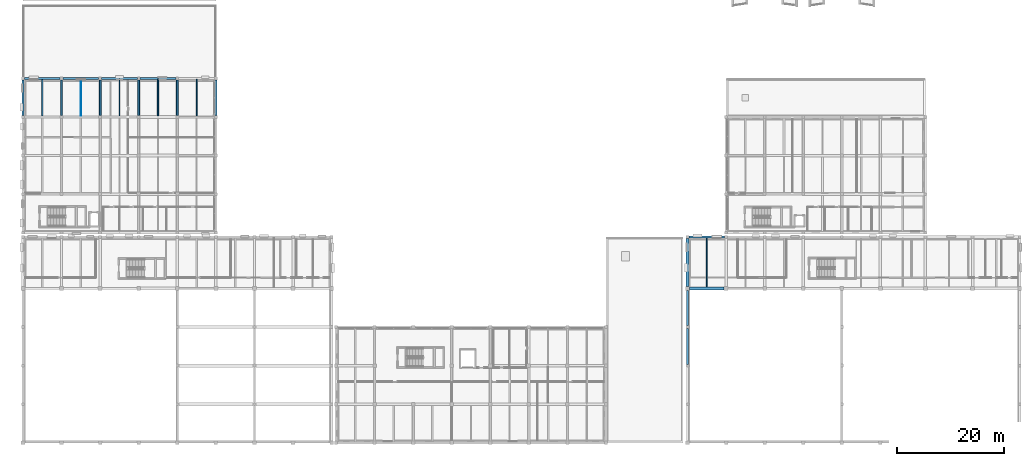
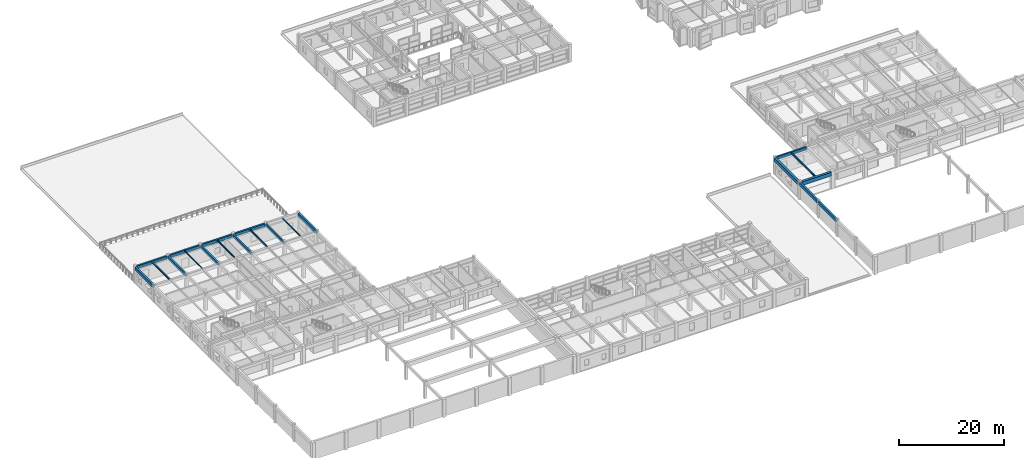
# One storey, part 18 of 67: 21 beams.
"""IFC4 building model written with IfcOpenShell, lengths in metres."""

from ifc_helpers import new_model, si_unit, direction, frame, origin, origin_2d, place, context, subcontext, project, spatial, rectangle, i_section, extrude, material, material_profile, profile_set, type_object, element, save


model = new_model("IFC4")

# Units and contexts
model_context = context("Model", 3, precision=1e-05, world=origin(), true_north=direction((0.0, 1.0)))
body_context = subcontext(model_context, "Body", "Model", "MODEL_VIEW")
ifc_project = project(units=[si_unit("LENGTHUNIT", "METRE"), si_unit("AREAUNIT", "SQUARE_METRE"), si_unit("VOLUMEUNIT", "CUBIC_METRE"), si_unit("PLANEANGLEUNIT", "RADIAN"), si_unit("MASSUNIT", "GRAM", prefix="KILO")], contexts=[model_context])

# Site, building, storey
site_placement = place(None, origin())
site = spatial("IfcSite", under=ifc_project, at=site_placement, CompositionType="ELEMENT")
building_placement = place(site_placement, origin())
building = spatial("IfcBuilding", under=site, at=building_placement, Name="Bramveld Media Centre", CompositionType="ELEMENT")
storey_placement = place(building_placement, frame((0.0, 0.0, 5.39990234375)))
storey = spatial("IfcBuildingStorey", under=building, at=storey_placement, Name="L01", CompositionType="ELEMENT", Elevation=5.39990234375)

# Beams
ifc_material_1 = material(Name="Concrete C40/50", Category="concrete")
ifc_material_profile_1 = material_profile(ifc_material_1, rectangle(XDim=0.35009765625, YDim=0.60009765625, at=origin_2d()), Name="RC 350x600")
ifc_profile_set_1 = profile_set([ifc_material_profile_1], Name="Concrete C40/50")
beam_type_1 = type_object("IfcBeamType", Name="BM-INT-RC-350x600", PredefinedType="BEAM", material=ifc_profile_set_1)
for number, where, z_axis, x_axis, name in (
    (1, (7.199951171875, 61.074951171875, 3.64013671875), (0.0, 1.0, 0.0), (-1.0, 0.0, 0.0), "V3 L01 girder Y-288"),
    (2, (14.39990234375, 61.074951171875, 3.64013671875), (0.0, 1.0, 0.0), (-1.0, 0.0, 0.0), "V3 L01 girder Y-292"),
    (3, (21.60009765625, 61.074951171875, 3.64013671875), (0.0, 1.0, 0.0), (-1.0, 0.0, 0.0), "V3 L01 girder Y-296"),
    (4, (28.800048828125, 61.074951171875, 3.64013671875), (0.0, 1.0, 0.0), (-1.0, 0.0, 0.0), "V3 L01 girder Y-300"),
):
    element("IfcBeam", number, at=place(storey_placement, frame(where, z_axis=z_axis, x_axis=x_axis)), inside=storey, type_object=beam_type_1, Name=name, PredefinedType="BEAM", context=body_context, shape_type="SweptSolid", body=[
        extrude(rectangle(XDim=0.35009765625, YDim=0.60009765625, at=origin_2d()), origin(), (0.0, 0.0, 1.0), 6.6650390625),
    ])
ifc_material_2 = material(Name="Concrete C40/50", Category="concrete")
ifc_material_profile_2 = material_profile(ifc_material_2, rectangle(XDim=0.5, YDim=0.85009765625, at=origin_2d()), Name="RC 500x850")
ifc_profile_set_2 = profile_set([ifc_material_profile_2], Name="Concrete C40/50")
beam_type_2 = type_object("IfcBeamType", Name="BM-INT-RC-500x850", PredefinedType="BEAM", material=ifc_profile_set_2)
beam_1_placement = place(storey_placement, frame((124.340087890625, 28.800048828125, 3.51513671875), z_axis=(1.0, 0.0, 0.0), x_axis=(0.0, 1.0, 0.0)))
element("IfcBeam", 5, at=beam_1_placement, inside=storey, type_object=beam_type_2, Name="V1 L01 girder X-44", PredefinedType="BEAM", context=body_context, shape_type="SweptSolid", body=[
    extrude(rectangle(XDim=0.5, YDim=0.85009765625, at=origin_2d()), origin(), (0.0, 0.0, 1.0), 6.510009765625),
])
ifc_material_3 = material(Name="Steel S355J2", Category="steel")
ifc_material_profile_3 = material_profile(ifc_material_3, i_section(OverallWidth=0.179931640625, OverallDepth=0.1708984375, WebThickness=0.006103515625, FlangeThickness=0.009521484375, FilletRadius=0.014892578125, at=origin_2d()), Name="HEA 180")
ifc_profile_set_3 = profile_set([ifc_material_profile_3], Name="Steel S355J2")
beam_type_3 = type_object("IfcBeamType", Name="SBM-INT-HEA-180", PredefinedType="BEAM", material=ifc_profile_set_3)
beam_2_placement = place(storey_placement, frame((32.39990234375, 60.97509765625, 3.8544921875), z_axis=(0.0, 1.0, 0.0), x_axis=(-1.0, 0.0, 0.0)))
element("IfcBeam", 6, at=beam_2_placement, inside=storey, type_object=beam_type_3, Name="V3 L01 secondary floor joist 322", PredefinedType="BEAM", context=body_context, shape_type="SweptSolid", body=[
    extrude(i_section(OverallWidth=0.179931640625, OverallDepth=0.1708984375, WebThickness=0.006103515625, FlangeThickness=0.009521484375, FilletRadius=0.014892578125, at=origin_2d()), origin(), (0.0, 0.0, 1.0), 6.8349609375),
])
ifc_material_4 = material(Name="Steel S355J2", Category="steel")
ifc_material_profile_4 = material_profile(ifc_material_4, i_section(OverallWidth=0.260009765625, OverallDepth=0.260009765625, WebThickness=0.010009765625, FlangeThickness=0.017578125, FilletRadius=0.02392578125, at=origin_2d()), Name="HEB 260")
ifc_profile_set_4 = profile_set([ifc_material_profile_4], Name="Steel S355J2")
beam_type_4 = type_object("IfcBeamType", Name="SBM-INT-HEB-260", PredefinedType="BEAM", material=ifc_profile_set_4)
beam_3_placement = place(storey_placement, frame((3.60009765625, 61.0, 3.81005859375), z_axis=(0.0, 1.0, 0.0), x_axis=(-1.0, 0.0, 0.0)))
element("IfcBeam", 7, at=beam_3_placement, inside=storey, type_object=beam_type_4, Name="V3 L01 secondary floor joist 307", PredefinedType="BEAM", context=body_context, shape_type="SweptSolid", body=[
    extrude(i_section(OverallWidth=0.260009765625, OverallDepth=0.260009765625, WebThickness=0.010009765625, FlangeThickness=0.017578125, FilletRadius=0.02392578125, at=origin_2d()), origin(), (0.0, 0.0, 1.0), 6.81005859375),
])
ifc_material_5 = material(Name="Steel S355J2", Category="steel")
ifc_material_profile_5 = material_profile(ifc_material_5, i_section(OverallWidth=0.091064453125, OverallDepth=0.179931640625, WebThickness=0.00537109375, FlangeThickness=0.008056640625, FilletRadius=0.009033203125, at=origin_2d()), Name="IPE 180")
ifc_profile_set_5 = profile_set([ifc_material_profile_5], Name="Steel S355J2")
beam_type_5 = type_object("IfcBeamType", Name="SBM-INT-IPE-180", PredefinedType="JOIST", material=ifc_profile_set_5)
beam_4_placement = place(storey_placement, frame((10.800048828125, 61.0, 3.85009765625), z_axis=(0.0, 1.0, 0.0), x_axis=(-1.0, 0.0, 0.0)))
element("IfcBeam", 8, at=beam_4_placement, inside=storey, type_object=beam_type_5, Name="V3 L01 secondary floor joist 310", PredefinedType="JOIST", context=body_context, shape_type="SweptSolid", body=[
    extrude(i_section(OverallWidth=0.091064453125, OverallDepth=0.179931640625, WebThickness=0.00537109375, FlangeThickness=0.008056640625, FilletRadius=0.009033203125, at=origin_2d()), origin(), (0.0, 0.0, 1.0), 6.81005859375),
])
ifc_material_6 = material(Name="Steel S355J2", Category="steel")
ifc_material_profile_6 = material_profile(ifc_material_6, i_section(OverallWidth=0.14990234375, OverallDepth=0.300048828125, WebThickness=0.007080078125, FlangeThickness=0.0107421875, FilletRadius=0.014892578125, at=origin_2d()), Name="IPE 300")
ifc_profile_set_6 = profile_set([ifc_material_profile_6], Name="Steel S355J2")
beam_type_6 = type_object("IfcBeamType", Name="SBM-INT-IPE-300", PredefinedType="JOIST", material=ifc_profile_set_6)
beam_5_placement = place(storey_placement, frame((18.0, 61.02490234375, 3.7900390625), z_axis=(0.0, 1.0, 0.0), x_axis=(-1.0, 0.0, 0.0)))
element("IfcBeam", 9, at=beam_5_placement, inside=storey, type_object=beam_type_6, Name="V3 L01 secondary floor joist 314", PredefinedType="JOIST", context=body_context, shape_type="SweptSolid", body=[
    extrude(i_section(OverallWidth=0.14990234375, OverallDepth=0.300048828125, WebThickness=0.007080078125, FlangeThickness=0.0107421875, FilletRadius=0.014892578125, at=origin_2d()), origin(), (0.0, 0.0, 1.0), 6.78515625),
])
ifc_material_7 = material(Name="Steel S355J2", Category="steel")
ifc_material_profile_7 = material_profile(ifc_material_7, i_section(OverallWidth=0.18994140625, OverallDepth=0.449951171875, WebThickness=0.009521484375, FlangeThickness=0.0146484375, FilletRadius=0.02099609375, at=origin_2d()), Name="IPE 450")
ifc_profile_set_7 = profile_set([ifc_material_profile_7], Name="Steel S355J2")
beam_type_7 = type_object("IfcBeamType", Name="SBM-INT-IPE-450", PredefinedType="BEAM", material=ifc_profile_set_7)
beam_6_placement = place(storey_placement, frame((127.60009765625, 29.050048828125, 3.715087890625), z_axis=(0.0, 1.0, 0.0), x_axis=(-1.0, 0.0, 0.0)))
element("IfcBeam", 10, at=beam_6_placement, inside=storey, type_object=beam_type_7, Name="V1 L01 secondary floor joist 80", PredefinedType="BEAM", context=body_context, shape_type="SweptSolid", body=[
    extrude(i_section(OverallWidth=0.18994140625, OverallDepth=0.449951171875, WebThickness=0.009521484375, FlangeThickness=0.0146484375, FilletRadius=0.02099609375, at=origin_2d()), origin(), (0.0, 0.0, 1.0), 9.159912109375),
])
beam_7_placement = place(storey_placement, frame((25.199951171875, 61.050048828125, 3.715087890625), z_axis=(0.0, 1.0, 0.0), x_axis=(-1.0, 0.0, 0.0)))
element("IfcBeam", 11, at=beam_7_placement, inside=storey, type_object=beam_type_7, Name="V3 L01 secondary floor joist 318", PredefinedType="BEAM", context=body_context, shape_type="SweptSolid", body=[
    extrude(i_section(OverallWidth=0.18994140625, OverallDepth=0.449951171875, WebThickness=0.009521484375, FlangeThickness=0.0146484375, FilletRadius=0.02099609375, at=origin_2d()), origin(), (0.0, 0.0, 1.0), 6.760009765625),
])
ifc_material_8 = material(Name="Concrete C40/50", Category="concrete")
ifc_material_profile_8 = material_profile(ifc_material_8, rectangle(XDim=0.3798828125, YDim=0.679931640625, at=origin_2d()), Name="RC 380x680")
ifc_profile_set_8 = profile_set([ifc_material_profile_8], Name="Concrete C40/50")
beam_type_8 = type_object("IfcBeamType", Name="SPANDREL-EXT-RC-380x680", PredefinedType="SPANDREL", material=ifc_profile_set_8)
for number, where, z_axis, x_axis, name in (
    (12, (124.260009765625, 38.39990234375, 3.60009765625), (1.0, 0.0, 0.0), (0.0, 1.0, 0.0), "V1 L01 girder X-52"),
    (13, (0.260009765625, 68.0, 3.60009765625), (1.0, 0.0, 0.0), (0.0, 1.0, 0.0), "V3 L01 girder X-277"),
    (14, (7.4599609375, 68.0, 3.60009765625), (1.0, 0.0, 0.0), (0.0, 1.0, 0.0), "V3 L01 girder X-278"),
):
    element("IfcBeam", number, at=place(storey_placement, frame(where, z_axis=z_axis, x_axis=x_axis)), inside=storey, type_object=beam_type_8, Name=name, PredefinedType="SPANDREL", context=body_context, shape_type="SweptSolid", body=[
        extrude(rectangle(XDim=0.3798828125, YDim=0.679931640625, at=origin_2d()), origin(), (0.0, 0.0, 1.0), 6.679931640625),
    ])
beam_8_placement = place(storey_placement, frame((14.659912109375, 68.0, 3.60009765625), z_axis=(1.0, 0.0, 0.0), x_axis=(0.0, 1.0, 0.0)))
element("IfcBeam", 15, at=beam_8_placement, inside=storey, type_object=beam_type_8, Name="V3 L01 girder X-279", PredefinedType="SPANDREL", context=body_context, shape_type="SweptSolid", body=[
    extrude(rectangle(XDim=0.3798828125, YDim=0.679931640625, at=origin_2d()), origin(), (0.0, 0.0, 1.0), 6.68017578125),
])
beam_9_placement = place(storey_placement, frame((21.860107421875, 68.0, 3.60009765625), z_axis=(1.0, 0.0, 0.0), x_axis=(0.0, 1.0, 0.0)))
element("IfcBeam", 16, at=beam_9_placement, inside=storey, type_object=beam_type_8, Name="V3 L01 girder X-280", PredefinedType="SPANDREL", context=body_context, shape_type="SweptSolid", body=[
    extrude(rectangle(XDim=0.3798828125, YDim=0.679931640625, at=origin_2d()), origin(), (0.0, 0.0, 1.0), 6.679931640625),
])
ifc_material_9 = material(Name="Concrete C40/50", Category="concrete")
ifc_material_profile_9 = material_profile(ifc_material_9, rectangle(XDim=0.419921875, YDim=0.719970703125, at=origin_2d()), Name="RC 420x720")
ifc_profile_set_9 = profile_set([ifc_material_profile_9], Name="Concrete C40/50")
beam_type_9 = type_object("IfcBeamType", Name="SPANDREL-EXT-RC-420x720", PredefinedType="SPANDREL", material=ifc_profile_set_9)
beam_10_placement = place(storey_placement, frame((124.0, 14.659912109375, 3.590087890625), z_axis=(0.0, 1.0, 0.0), x_axis=(-1.0, 0.0, 0.0)))
element("IfcBeam", 17, at=beam_10_placement, inside=storey, type_object=beam_type_9, Name="V1 L01 girder Y-62", PredefinedType="SPANDREL", context=body_context, shape_type="SweptSolid", body=[
    extrude(rectangle(XDim=0.419921875, YDim=0.719970703125, at=origin_2d()), origin(), (0.0, 0.0, 1.0), 6.68017578125),
])
beam_11_placement = place(storey_placement, frame((124.0, 21.860107421875, 3.590087890625), z_axis=(0.0, 1.0, 0.0), x_axis=(-1.0, 0.0, 0.0)))
element("IfcBeam", 18, at=beam_11_placement, inside=storey, type_object=beam_type_9, Name="V1 L01 girder Y-63", PredefinedType="SPANDREL", context=body_context, shape_type="SweptSolid", body=[
    extrude(rectangle(XDim=0.419921875, YDim=0.719970703125, at=origin_2d()), origin(), (0.0, 0.0, 1.0), 6.599853515625),
])
for number, where, z_axis, x_axis, name in (
    (19, (0.0, 61.06005859375, 3.580078125), (0.0, 1.0, 0.0), (-1.0, 0.0, 0.0), "V3 L01 girder Y-285"),
    (20, (36.0, 61.06005859375, 3.580078125), (0.0, 1.0, 0.0), (-1.0, 0.0, 0.0), "V3 L01 girder Y-304"),
):
    element("IfcBeam", number, at=place(storey_placement, frame(where, z_axis=z_axis, x_axis=x_axis)), inside=storey, type_object=beam_type_9, Name=name, PredefinedType="SPANDREL", context=body_context, shape_type="SweptSolid", body=[
        extrude(rectangle(XDim=0.419921875, YDim=0.719970703125, at=origin_2d()), origin(), (0.0, 0.0, 1.0), 6.679931640625),
    ])
ifc_material_10 = material(Name="Concrete C40/50", Category="concrete")
ifc_material_profile_10 = material_profile(ifc_material_10, rectangle(XDim=0.47998046875, YDim=0.820068359375, at=origin_2d()), Name="RC 480x820")
ifc_profile_set_10 = profile_set([ifc_material_profile_10], Name="Concrete C40/50")
beam_type_10 = type_object("IfcBeamType", Name="SPANDREL-EXT-RC-480x820", PredefinedType="SPANDREL", material=ifc_profile_set_10)
beam_12_placement = place(storey_placement, frame((124.0, 29.139892578125, 3.530029296875), z_axis=(0.0, 1.0, 0.0), x_axis=(-1.0, 0.0, 0.0)))
element("IfcBeam", 21, at=beam_12_placement, inside=storey, type_object=beam_type_10, Name="V1 L01 girder Y-64", PredefinedType="SPANDREL", context=body_context, shape_type="SweptSolid", body=[
    extrude(rectangle(XDim=0.47998046875, YDim=0.820068359375, at=origin_2d()), origin(), (0.0, 0.0, 1.0), 9.0),
])

save(model, "model.ifc")
